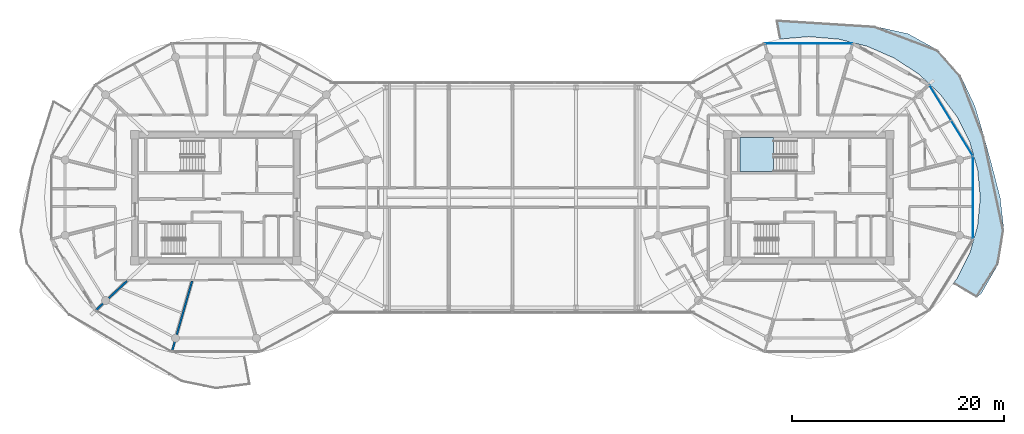
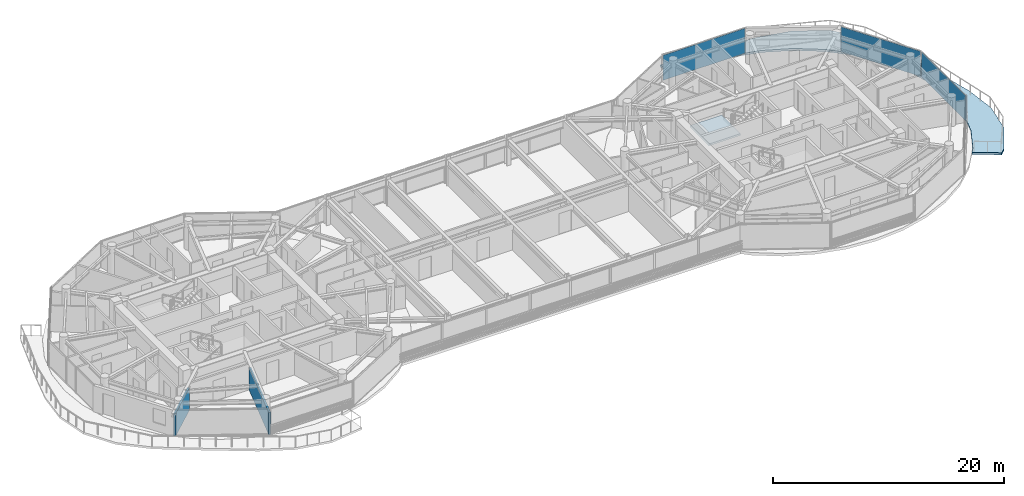
# One storey, part 12 of 23: 3 plates, 2 slabs, 2 walls, 4 elements without a shape of their own.
"""IFC4 building model written with IfcOpenShell, lengths in metres."""

from ifc_helpers import new_model, si_unit, direction, frame, frame_2d, origin, origin_2d, place, context, subcontext, project, spatial, polyline, rectangle, outline, extrude, source, transform, mapped, material, layer, layer_set, type_object, type_shapes, element, aggregate, save


model = new_model("IFC4")

# Units and contexts
model_context = context("Model", 3, precision=1e-05, world=origin(), true_north=direction((0.0, 1.0)))
body_context = subcontext(model_context, "Body", "Model", "MODEL_VIEW")
ifc_project = project(units=[si_unit("LENGTHUNIT", "METRE"), si_unit("AREAUNIT", "SQUARE_METRE"), si_unit("VOLUMEUNIT", "CUBIC_METRE"), si_unit("PLANEANGLEUNIT", "RADIAN"), si_unit("MASSUNIT", "GRAM", prefix="KILO")], contexts=[model_context])

# Site, building, storey
site_placement = place(None, origin())
site = spatial("IfcSite", under=ifc_project, at=site_placement, CompositionType="ELEMENT")
building_placement = place(site_placement, origin())
building = spatial("IfcBuilding", under=site, at=building_placement, Name="Norrkilde Senior Care Towers", CompositionType="ELEMENT")
storey_placement = place(building_placement, frame((0.0, 0.0, 220.0)))
storey = spatial("IfcBuildingStorey", under=building, at=storey_placement, Name="L68", CompositionType="ELEMENT", Elevation=220.0)

# Slab
ifc_material_1 = material(Name="Concrete C50/60", Category="concrete")
ifc_layer_1 = layer(ifc_material_1, 0.215087890625)
ifc_layer_set_1 = layer_set([ifc_layer_1], Name="Concrete C50/60")
slab_type_1 = type_object("IfcSlabType", Name="Sinusoidal Balcony Ribbon Slab 215", PredefinedType="FLOOR", material=ifc_layer_set_1)
slab_1_placement = place(storey_placement, frame((0.0, 0.0, -0.215087890625)))
element("IfcSlab", 1, at=slab_1_placement, inside=storey, type_object=slab_type_1, Name="L68 Drum E Swirling Senior Balcony 1", PredefinedType="FLOOR", context=body_context, shape_type="SweptSolid", body=[
    extrude(outline(polyline([(43.847412109375, -9.45654296875), (41.635498046875, -8.136474609375), (42.033935546875, -7.6025390625), (43.227783203125, -5.200439453125), (43.958740234375, -2.640380859375), (44.205078125, 0.0), (43.958740234375, 2.640380859375), (43.227783203125, 5.200439453125), (42.033935546875, 7.6025390625), (40.413818359375, 9.773681640625), (38.416259765625, 11.647705078125), (36.1025390625, 13.16796875), (33.54248046875, 14.2880859375), (30.81396484375, 14.97412109375), (28.0, 15.205078125), (25.234375, 14.97802734375), (24.902099609375, 16.7783203125), (28.0, 16.587890625), (31.052734375, 16.417236328125), (34.192626953125, 16.192138671875), (37.359130859375, 15.488037109375), (40.206787109375, 13.922119140625), (42.349609375, 11.5048828125), (43.7021484375, 8.629150390625), (44.566162109375, 5.7197265625), (45.336181640625, 2.899169921875), (46.08544921875, 0.0), (46.446044921875, -3.107666015625), (45.919677734375, -6.244873046875), (44.329833984375, -9.015380859375), (43.847412109375, -9.45654296875)])), origin(), (0.0, 0.0, 1.0), 0.215087890625),
])

# Stair, slab
ifc_material_2 = material(Name="Concrete C45/55", Category="concrete")
stair_type = type_object("IfcStairType", Name="Core Protected Dogleg Stair Typical 3050", PredefinedType="HALF_TURN_STAIR", material=ifc_material_2)
stair_placement = place(storey_placement, origin())
stair = element("IfcStair", 2, at=stair_placement, inside=storey, type_object=stair_type, Name="L68 Protected Core Stair E1", PredefinedType="HALF_TURN_STAIR")
ifc_layer_2 = layer(ifc_material_2, 0.199951171875)
ifc_layer_set_2 = layer_set([ifc_layer_2], Name="Concrete C45/55")
slab_type_2 = type_object("IfcSlabType", Name="Stair Landing Slab 200", PredefinedType="LANDING", material=ifc_layer_set_2)
slab_2_placement = place(storey_placement, frame((0.0, 0.0, 1.324951171875)))
slab_2 = element("IfcSlab", 3, at=slab_2_placement, type_object=slab_type_2, Name="ST-E1 landing 1", PredefinedType="LANDING", context=body_context, shape_type="SweptSolid", body=[
    extrude(outline(polyline([(24.659912109375, 5.68994140625), (21.5, 5.68994140625), (21.5, 2.449951171875), (24.659912109375, 2.449951171875), (24.659912109375, 5.68994140625)])), origin(), (0.0, 0.0, 1.0), 0.199951171875),
])
aggregate(stair, [slab_2])

# Curtain wall, plate
ifc_material_3 = material(Name="Triple Low-E Insulated Glazing", Category="glass")
ifc_layer_3 = layer(ifc_material_3, 0.18505859375)
ifc_layer_set_3 = layer_set([ifc_layer_3], Name="Triple Low-E Insulated Glazing")
curtain_wall_type = type_object("IfcCurtainWallType", Name="CW6 Zone 4 Crown Pavilion Curtain Wall", PredefinedType="NOTDEFINED", material=ifc_layer_set_3)
curtain_wall_1_placement = place(storey_placement, origin())
curtain_wall_1 = element("IfcCurtainWall", 4, at=curtain_wall_1_placement, inside=storey, type_object=curtain_wall_type, Name="L68 Drum E Curtain Wall 00", PredefinedType="NOTDEFINED")
ifc_layer_4 = layer(ifc_material_3, 0.035888671875)
ifc_layer_set_4 = layer_set([ifc_layer_4], Name="Triple Low-E Insulated Glazing")
plate_type = type_object("IfcPlateType", Name="Triple Low-E Vision Curtain Panel 36", PredefinedType="CURTAIN_PANEL", material=ifc_layer_set_4)
shared_shape_1 = source(origin(), body_context, "Body", "SweptSolid", [
    extrude(rectangle(XDim=7.80859375, YDim=0.035888671875, at=origin_2d()), origin(), (0.0, 0.0, 1.0), 2.639892578125),
])
plate_1_placement = place(storey_placement, frame((41.451171875, 7.282958984375, 0.06005859375), z_axis=(0.0, 0.0, 1.0), x_axis=(0.524252726748, -0.851562727283, 0.0)))
plate_1 = element("IfcPlate", 5, at=plate_1_placement, type_object=plate_type, Name="CW-6 panel 1.1", PredefinedType="CURTAIN_PANEL", context=body_context, shape_type="MappedRepresentation", body=[
    mapped(shared_shape_1, transform((0.0, 0.0, 0.0), x_axis=(1.0, 0.0, 0.0), y_axis=(0.0, 1.0, 0.0), z_axis=(0.0, 0.0, 1.0), scale=1.0)),
])
aggregate(curtain_wall_1, [plate_1])

curtain_wall_2_placement = place(storey_placement, origin())
curtain_wall_2 = element("IfcCurtainWall", 6, at=curtain_wall_2_placement, inside=storey, type_object=curtain_wall_type, Name="L68 Drum E Curtain Wall 02", PredefinedType="NOTDEFINED")
shared_shape_2 = source(origin(), body_context, "Body", "SweptSolid", [
    extrude(rectangle(XDim=8.193603515625, YDim=0.035888671875, at=origin_2d()), origin(), (0.0, 0.0, 1.0), 2.639892578125),
])
plate_2_placement = place(storey_placement, frame((28.0, 14.566162109375, 0.06005859375), z_axis=(0.0, 0.0, 1.0), x_axis=(1.0, 0.0, 0.0)))
plate_2 = element("IfcPlate", 7, at=plate_2_placement, type_object=plate_type, Name="CW-6 panel 1.1", PredefinedType="CURTAIN_PANEL", context=body_context, shape_type="MappedRepresentation", body=[
    mapped(shared_shape_2, transform((0.0, 0.0, 0.0), x_axis=(1.0, 0.0, 0.0), y_axis=(0.0, 1.0, 0.0), z_axis=(0.0, 0.0, 1.0), scale=1.0)),
])
aggregate(curtain_wall_2, [plate_2])

curtain_wall_3_placement = place(storey_placement, origin())
curtain_wall_3 = element("IfcCurtainWall", 8, at=curtain_wall_3_placement, inside=storey, type_object=curtain_wall_type, Name="L68 Drum E Curtain Wall 11", PredefinedType="NOTDEFINED")
shared_shape_3 = source(origin(), body_context, "Body", "SweptSolid", [
    extrude(rectangle(XDim=7.676025390625, YDim=0.035888671875, at=origin_2d()), origin(), (0.0, 0.0, 1.0), 2.639892578125),
])
type_shapes(plate_type, [shared_shape_1, shared_shape_2, shared_shape_3])
plate_3_placement = place(storey_placement, frame((43.531982421875, 0.0, 0.06005859375), z_axis=(0.0, 0.0, 1.0), x_axis=(0.0, -1.0, 0.0)))
plate_3 = element("IfcPlate", 9, at=plate_3_placement, type_object=plate_type, Name="CW-6 panel 1.1", PredefinedType="CURTAIN_PANEL", context=body_context, shape_type="MappedRepresentation", body=[
    mapped(shared_shape_3, transform((0.0, 0.0, 0.0), x_axis=(1.0, 0.0, 0.0), y_axis=(0.0, 1.0, 0.0), z_axis=(0.0, 0.0, 1.0), scale=1.0)),
])
aggregate(curtain_wall_3, [plate_3])

# Walls
ifc_material_4 = material(Name="Gypsum Acoustic Board")
ifc_layer_5 = layer(ifc_material_4, 0.18994140625)
ifc_layer_set_5 = layer_set([ifc_layer_5], Name="Gypsum Acoustic Board")
wall_type = type_object("IfcWallType", Name="Unit Demising Acoustic Wall 190", PredefinedType="PARTITIONING", material=ifc_layer_set_5)
shared_shape_4 = source(origin(), body_context, "Body", "SweptSolid", [
    extrude(rectangle(XDim=6.973876953125, YDim=0.18994140625, at=frame_2d((3.48681640625, 0.0))), origin(), (0.0, 0.0, 1.0), 2.344970703125),
])
wall_1_placement = place(storey_placement, frame((-30.251220703125, -7.8798828125, 0.0), z_axis=(0.0, 0.0, 1.0), x_axis=(-0.274707256801, -0.961527910703, 0.0)))
element("IfcWall", 10, at=wall_1_placement, inside=storey, type_object=wall_type, Name="WL-INT-L68-W-DEM-08-0", PredefinedType="PARTITIONING", context=body_context, shape_type="MappedRepresentation", body=[
    mapped(shared_shape_4, transform((0.0, 0.0, 0.0), x_axis=(1.0, 0.0, 0.0), y_axis=(0.0, 1.0, 0.0), z_axis=(0.0, 0.0, 1.0), scale=1.0)),
])
shared_shape_5 = source(origin(), body_context, "Body", "SweptSolid", [
    extrude(rectangle(XDim=4.089111328125, YDim=0.18994140625, at=frame_2d((2.04443359375, 0.0))), origin(), (0.0, 0.0, 1.0), 2.385009765625),
])
type_shapes(wall_type, [shared_shape_4, shared_shape_5])
wall_2_placement = place(storey_placement, frame((-36.40185546875, -7.8798828125, 0.0), z_axis=(0.0, 0.0, 1.0), x_axis=(-0.729401273609, -0.684086092577, 0.0)))
element("IfcWall", 11, at=wall_2_placement, inside=storey, type_object=wall_type, Name="WL-INT-L68-W-DEM-07-0", PredefinedType="PARTITIONING", context=body_context, shape_type="MappedRepresentation", body=[
    mapped(shared_shape_5, transform((0.0, 0.0, 0.0), x_axis=(1.0, 0.0, 0.0), y_axis=(0.0, 1.0, 0.0), z_axis=(0.0, 0.0, 1.0), scale=1.0)),
])

save(model, "model.ifc")
